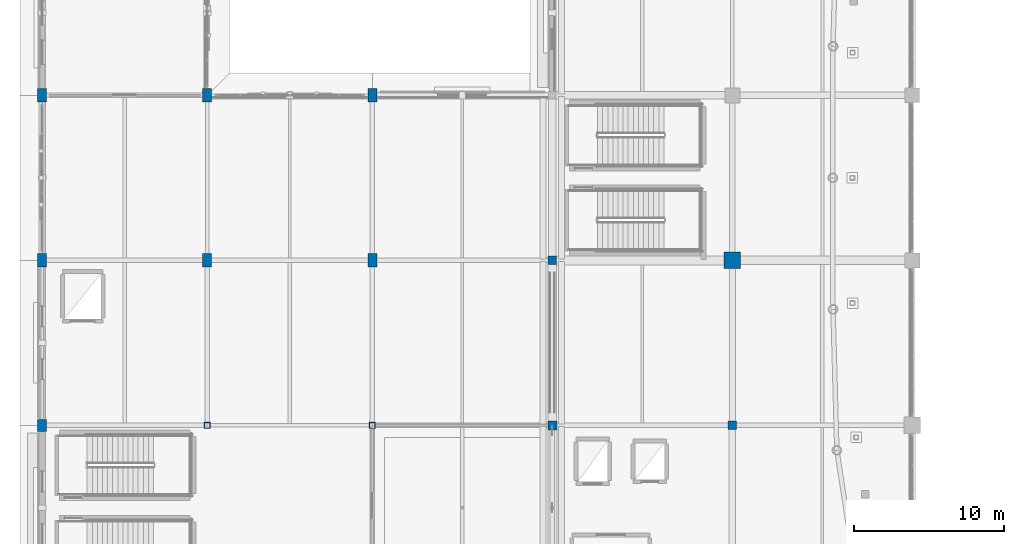
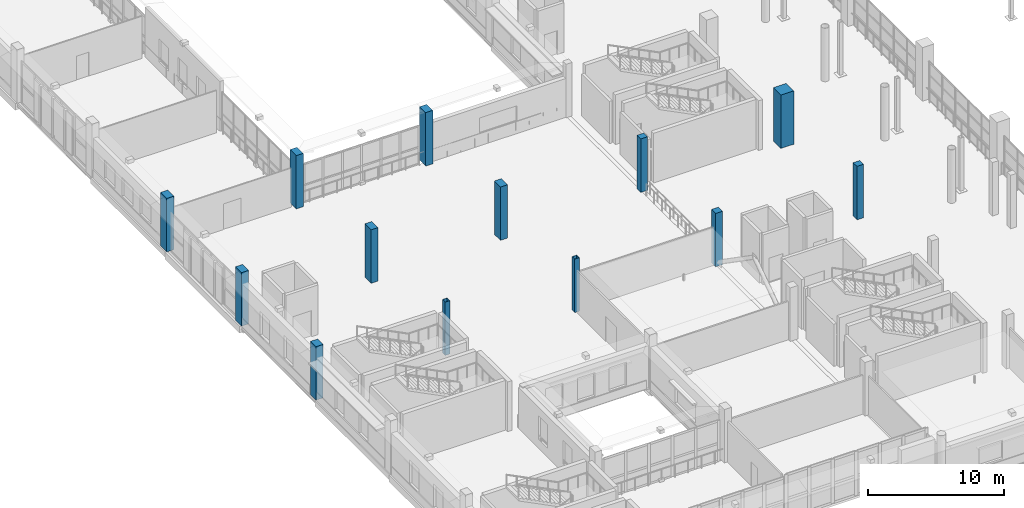
# One storey, part 3 of 143: 13 columns.
"""IFC4 building model written with IfcOpenShell, lengths in metres."""

from ifc_helpers import new_model, si_unit, direction, frame, origin, origin_2d, place, context, subcontext, project, spatial, rectangle, hollow_rectangle, extrude, material, material_profile, profile_set, type_object, element, save


model = new_model("IFC4")

# Units and contexts
model_context = context("Model", 3, precision=1e-05, world=origin(), true_north=direction((0.0, 1.0)))
body_context = subcontext(model_context, "Body", "Model", "MODEL_VIEW")
ifc_project = project(units=[si_unit("LENGTHUNIT", "METRE"), si_unit("AREAUNIT", "SQUARE_METRE"), si_unit("VOLUMEUNIT", "CUBIC_METRE"), si_unit("PLANEANGLEUNIT", "RADIAN"), si_unit("MASSUNIT", "GRAM", prefix="KILO")], contexts=[model_context])

# Site, building, storey
site_placement = place(None, origin())
site = spatial("IfcSite", under=ifc_project, at=site_placement, CompositionType="ELEMENT")
building_placement = place(site_placement, origin())
building = spatial("IfcBuilding", under=site, at=building_placement, Name="Luwafu Chhajja Arena", CompositionType="ELEMENT")
storey_placement = place(building_placement, frame((0.0, 0.0, 5.39990234375)))
storey = spatial("IfcBuildingStorey", under=building, at=storey_placement, Name="L01", CompositionType="ELEMENT", Elevation=5.39990234375)

# Columns
ifc_material_1 = material(Name="Concrete C40/50", Category="concrete")
ifc_material_profile_1 = material_profile(ifc_material_1, rectangle(XDim=1.10009765625, YDim=1.10009765625, at=origin_2d()), Name="RC 1100x1100")
ifc_profile_set_1 = profile_set([ifc_material_profile_1], Name="Concrete C40/50")
column_type_1 = type_object("IfcColumnType", Name="Bowl Rim Mega Column RC 1100", PredefinedType="COLUMN", material=ifc_profile_set_1)
column_1_placement = place(storey_placement, frame((46.0, 44.0, 0.0), z_axis=(0.0, 0.0, 1.0), x_axis=(1.0, 0.0, 0.0)))
element("IfcColumn", 1, at=column_1_placement, inside=storey, type_object=column_type_1, Name="L01 Grid Column 5/E", PredefinedType="COLUMN", context=body_context, shape_type="SweptSolid", body=[
    extrude(rectangle(XDim=1.10009765625, YDim=1.10009765625, at=origin_2d()), origin(), (0.0, 0.0, 1.0), 4.800048828125),
])
ifc_material_2 = material(Name="Concrete C35/45", Category="concrete")
ifc_material_profile_2 = material_profile(ifc_material_2, rectangle(XDim=0.550048828125, YDim=0.550048828125, at=origin_2d()), Name="RC 550x550")
ifc_profile_set_2 = profile_set([ifc_material_profile_2], Name="Concrete C35/45")
column_type_2 = type_object("IfcColumnType", Name="Gallery Column RC 550", PredefinedType="COLUMN", material=ifc_profile_set_2)
for number, where, z_axis, x_axis, name in (
    (2, (34.0, 44.0, 0.0), (0.0, 0.0, 1.0), (1.0, 0.0, 0.0), "L01 Grid Column 4/E"),
    (3, (46.0, 33.0, 0.0), (0.0, 0.0, 1.0), (1.0, 0.0, 0.0), "L01 Grid Column 5/D"),
):
    element("IfcColumn", number, at=place(storey_placement, frame(where, z_axis=z_axis, x_axis=x_axis)), inside=storey, type_object=column_type_2, Name=name, PredefinedType="COLUMN", context=body_context, shape_type="SweptSolid", body=[
        extrude(rectangle(XDim=0.550048828125, YDim=0.550048828125, at=origin_2d()), origin(), (0.0, 0.0, 1.0), 4.800048828125),
    ])
ifc_material_profile_3 = material_profile(ifc_material_2, rectangle(XDim=0.60009765625, YDim=0.60009765625, at=origin_2d()), Name="RC 600x600")
ifc_profile_set_3 = profile_set([ifc_material_profile_3], Name="Concrete C35/45")
column_type_3 = type_object("IfcColumnType", Name="Mezzanine Column RC 600", PredefinedType="COLUMN", material=ifc_profile_set_3)
column_2_placement = place(storey_placement, frame((34.0, 33.0, 0.0), z_axis=(0.0, 0.0, 1.0), x_axis=(1.0, 0.0, 0.0)))
element("IfcColumn", 4, at=column_2_placement, inside=storey, type_object=column_type_3, Name="L01 Grid Column 4/D", PredefinedType="COLUMN", context=body_context, shape_type="SweptSolid", body=[
    extrude(rectangle(XDim=0.60009765625, YDim=0.60009765625, at=origin_2d()), origin(), (0.0, 0.0, 1.0), 4.800048828125),
])
ifc_material_profile_4 = material_profile(ifc_material_1, rectangle(XDim=0.60009765625, YDim=0.800048828125, at=origin_2d()), Name="RC 600x800")
ifc_profile_set_4 = profile_set([ifc_material_profile_4], Name="Concrete C40/50")
column_type_4 = type_object("IfcColumnType", Name="Pishtaq Pier Column RC 600x800", PredefinedType="COLUMN", material=ifc_profile_set_4)
column_3_placement = place(storey_placement, frame((0.0, 33.0, 0.0), z_axis=(0.0, 0.0, 1.0), x_axis=(1.0, 0.0, 0.0)))
element("IfcColumn", 5, at=column_3_placement, inside=storey, type_object=column_type_4, Name="L01 Grid Column 1/D", PredefinedType="COLUMN", context=body_context, shape_type="SweptSolid", body=[
    extrude(rectangle(XDim=0.60009765625, YDim=0.800048828125, at=origin_2d()), origin(), (0.0, 0.0, 1.0), 4.800048828125),
])
ifc_material_3 = material(Name="Steel S355", Category="steel")
ifc_material_profile_5 = material_profile(ifc_material_3, hollow_rectangle(XDim=0.39990234375, YDim=0.39990234375, WallThickness=0.02001953125, at=origin_2d()), Name="SHS 400x400x20")
ifc_profile_set_5 = profile_set([ifc_material_profile_5], Name="Steel S355")
column_type_5 = type_object("IfcColumnType", Name="Steel Atrium Column SHS 400", PredefinedType="COLUMN", material=ifc_profile_set_5)
for number, where, z_axis, x_axis, name in (
    (6, (11.0, 33.0, 0.0), (0.0, 0.0, 1.0), (1.0, 0.0, 0.0), "L01 Grid Column 2/D"),
    (7, (22.0, 33.0, 0.0), (0.0, 0.0, 1.0), (1.0, 0.0, 0.0), "L01 Grid Column 3/D"),
):
    element("IfcColumn", number, at=place(storey_placement, frame(where, z_axis=z_axis, x_axis=x_axis)), inside=storey, type_object=column_type_5, Name=name, PredefinedType="COLUMN", context=body_context, shape_type="SweptSolid", body=[
        extrude(hollow_rectangle(XDim=0.39990234375, YDim=0.39990234375, WallThickness=0.02001953125, at=origin_2d()), origin(), (0.0, 0.0, 1.0), 4.800048828125),
    ])
ifc_material_profile_6 = material_profile(ifc_material_1, rectangle(XDim=0.60009765625, YDim=0.89990234375, at=origin_2d()), Name="RC 600x900")
ifc_profile_set_6 = profile_set([ifc_material_profile_6], Name="Concrete C40/50")
column_type_6 = type_object("IfcColumnType", Name="Warm-Up Hall Portal Column RC 600x900", PredefinedType="COLUMN", material=ifc_profile_set_6)
for number, where, z_axis, x_axis, name in (
    (8, (0.0, 44.0, 0.0), (0.0, 0.0, 1.0), (1.0, 0.0, 0.0), "L01 Grid Column 1/E"),
    (9, (0.0, 55.0, 0.0), (0.0, 0.0, 1.0), (1.0, 0.0, 0.0), "L01 Grid Column 1/F"),
    (10, (11.0, 44.0, 0.0), (0.0, 0.0, 1.0), (1.0, 0.0, 0.0), "L01 Grid Column 2/E"),
    (11, (11.0, 55.0, 0.0), (0.0, 0.0, 1.0), (1.0, 0.0, 0.0), "L01 Grid Column 2/F"),
    (12, (22.0, 44.0, 0.0), (0.0, 0.0, 1.0), (1.0, 0.0, 0.0), "L01 Grid Column 3/E"),
    (13, (22.0, 55.0, 0.0), (0.0, 0.0, 1.0), (1.0, 0.0, 0.0), "L01 Grid Column 3/F"),
):
    element("IfcColumn", number, at=place(storey_placement, frame(where, z_axis=z_axis, x_axis=x_axis)), inside=storey, type_object=column_type_6, Name=name, PredefinedType="COLUMN", context=body_context, shape_type="SweptSolid", body=[
        extrude(rectangle(XDim=0.60009765625, YDim=0.89990234375, at=origin_2d()), origin(), (0.0, 0.0, 1.0), 4.800048828125),
    ])

save(model, "model.ifc")
